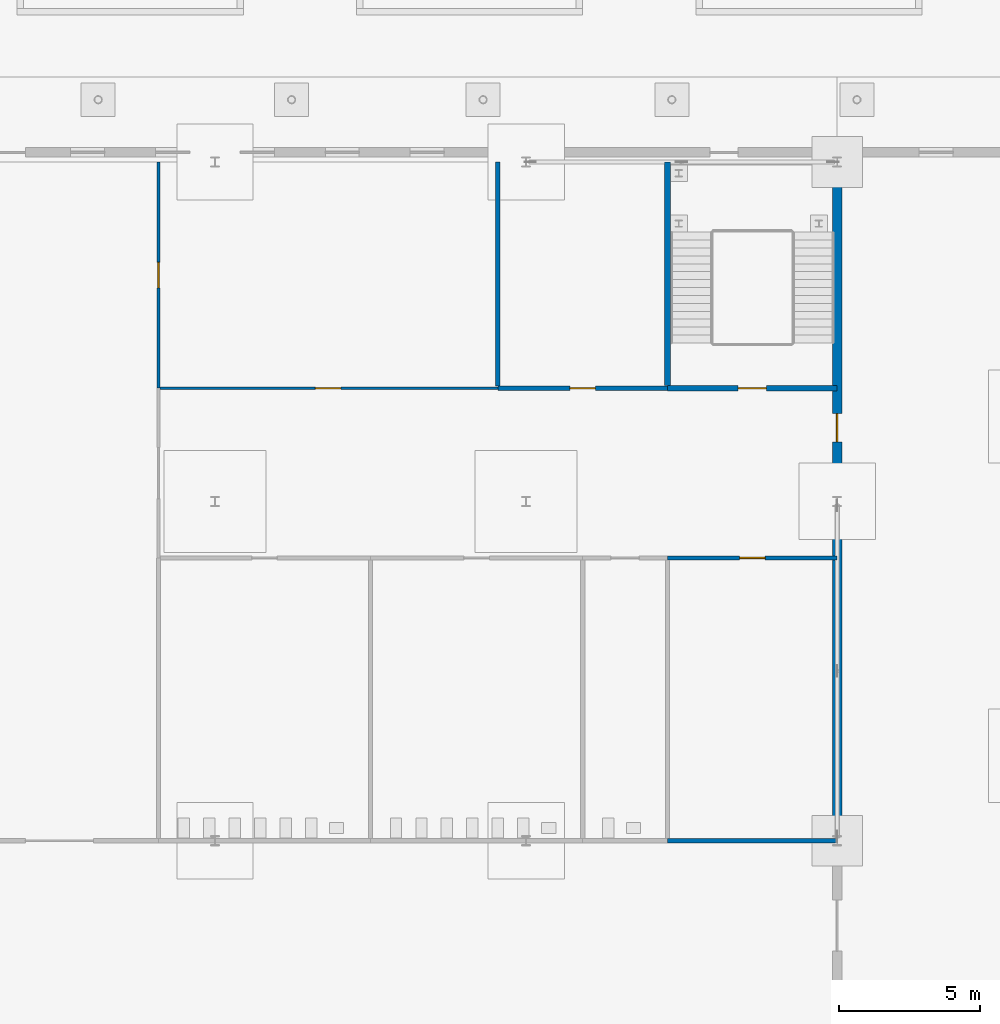
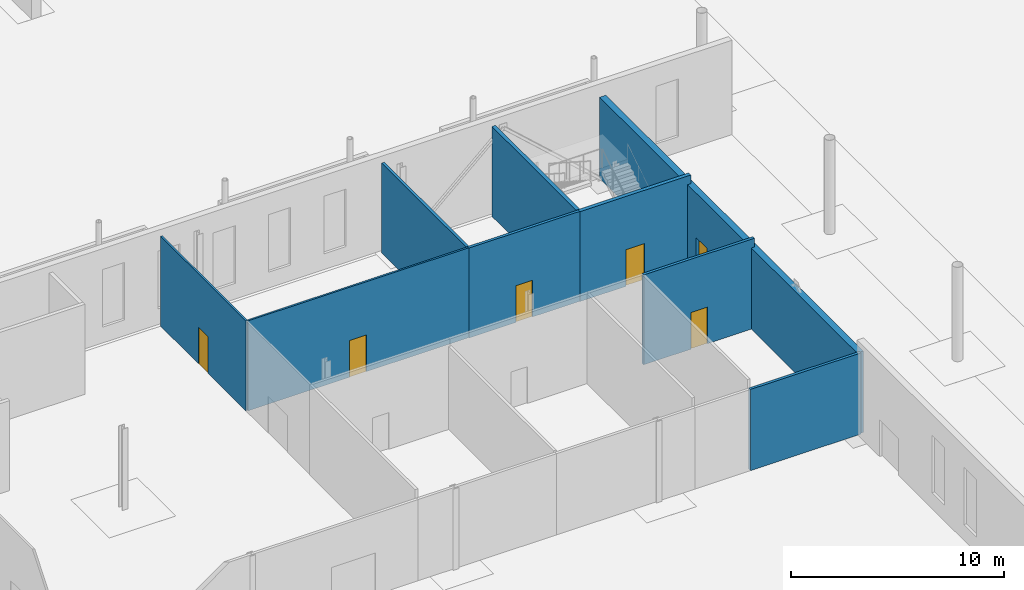
# One storey, part 73 of 132: 9 walls, 6 doors, 6 openings.
"""IFC4 building model written with IfcOpenShell, lengths in metres."""

from ifc_helpers import new_model, si_unit, direction, frame, frame_2d, origin, place, context, subcontext, project, spatial, rectangle, extrude, material, layer, layer_set, type_object, element, fill, save


model = new_model("IFC4")

# Units and contexts
model_context = context("Model", 3, precision=1e-05, world=origin(), true_north=direction((0.0, 1.0)))
body_context = subcontext(model_context, "Body", "Model", "MODEL_VIEW")
ifc_project = project(units=[si_unit("LENGTHUNIT", "METRE"), si_unit("AREAUNIT", "SQUARE_METRE"), si_unit("VOLUMEUNIT", "CUBIC_METRE"), si_unit("PLANEANGLEUNIT", "RADIAN"), si_unit("MASSUNIT", "GRAM", prefix="KILO")], contexts=[model_context])

# Site, building, storey
site_placement = place(None, origin())
site = spatial("IfcSite", under=ifc_project, at=site_placement, CompositionType="ELEMENT")
building_placement = place(site_placement, origin())
building = spatial("IfcBuilding", under=site, at=building_placement, Name="Ravi Spectrum Wholesale Market", CompositionType="ELEMENT")
storey_placement = place(building_placement, origin())
storey = spatial("IfcBuildingStorey", under=building, at=storey_placement, Name="L00", CompositionType="ELEMENT", Elevation=0.0)

# Wall
ifc_material_1 = material(Name="Concrete blockwork", Category="masonry")
ifc_layer_1 = layer(ifc_material_1, 0.14990234375)
ifc_layer_set_1 = layer_set([ifc_layer_1], Name="Concrete blockwork")
wall_type_1 = type_object("IfcWallType", Name="Blockwork partition 150", PredefinedType="PARTITIONING", material=ifc_layer_set_1)
wall_1_placement = place(storey_placement, frame((97.0, 171.0, 0.0), z_axis=(0.0, 0.0, 1.0), x_axis=(1.0, 0.0, 0.0)))
element("IfcWall", 1, at=wall_1_placement, inside=storey, type_object=wall_type_1, Name="H1-WL-L00-034", PredefinedType="PARTITIONING", context=body_context, shape_type="SweptSolid", body=[
    extrude(rectangle(XDim=6.0, YDim=0.14990234375, at=frame_2d((3.0, 0.0))), origin(), (0.0, 0.0, 1.0), 4.64990234375),
])

# Wall, opening, door
wall_2_placement = place(storey_placement, frame((97.0, 181.0, 0.0), z_axis=(0.0, 0.0, 1.0), x_axis=(1.0, 0.0, 0.0)))
wall_2 = element("IfcWall", 2, at=wall_2_placement, inside=storey, type_object=wall_type_1, Name="H1-WL-L00-038", PredefinedType="PARTITIONING", context=body_context, shape_type="SweptSolid", body=[
    extrude(rectangle(XDim=6.0, YDim=0.14990234375, at=frame_2d((3.0, 0.0))), origin(), (0.0, 0.0, 1.0), 5.14990234375),
])
opening_1_placement = place(wall_2_placement, frame((2.550048828125, 0.0, 0.0)))
opening_1 = element("IfcOpeningElement", 3, at=opening_1_placement, cuts=wall_2, Name="Opening D156", PredefinedType="OPENING", context=body_context, shape_type="SweptSolid", body=[
    extrude(rectangle(XDim=0.89990234375, YDim=2.10009765625, at=frame_2d((0.449951171875, 1.050048828125))), frame((0.0, 0.0849609375, 0.0), z_axis=(0.0, -1.0, 0.0), x_axis=(1.0, 0.0, 0.0)), (0.0, 0.0, 1.0), 0.169921875),
])
ifc_material_2 = material(Name="Timber door", Category="wood")
door_type_1 = type_object("IfcDoorType", Name="Office door 900 x 2100", OperationType="SINGLE_SWING_LEFT", PredefinedType="DOOR", material=ifc_material_2)
door_1_placement = place(opening_1_placement, origin())
door_1 = element("IfcDoor", 4, at=door_1_placement, inside=storey, type_object=door_type_1, Name="Door D156", OperationType="SINGLE_SWING_RIGHT", OverallHeight=2.10009765625, OverallWidth=0.89990234375, PredefinedType="DOOR", context=body_context, shape_type="SweptSolid", body=[
    extrude(rectangle(XDim=0.89990234375, YDim=2.10009765625, at=frame_2d((0.449951171875, 1.050048828125))), frame((0.0, 0.02490234375, 0.0), z_axis=(0.0, -1.0, 0.0), x_axis=(1.0, 0.0, 0.0)), (0.0, 0.0, 1.0), 0.050048828125),
])
fill(opening_1, door_1)

wall_3_placement = place(storey_placement, frame((91.0, 187.0, 0.0), z_axis=(0.0, 0.0, 1.0), x_axis=(1.0, 0.0, 0.0)))
wall_3 = element("IfcWall", 5, at=wall_3_placement, inside=storey, type_object=wall_type_1, Name="H1-WL-L00-044", PredefinedType="PARTITIONING", context=body_context, shape_type="SweptSolid", body=[
    extrude(rectangle(XDim=6.0, YDim=0.14990234375, at=frame_2d((3.0, 0.0))), origin(), (0.0, 0.0, 1.0), 5.14990234375),
])
opening_2_placement = place(wall_3_placement, frame((2.550048828125, 0.0, 0.0)))
opening_2 = element("IfcOpeningElement", 6, at=opening_2_placement, cuts=wall_3, Name="Opening D160", PredefinedType="OPENING", context=body_context, shape_type="SweptSolid", body=[
    extrude(rectangle(XDim=0.89990234375, YDim=2.10009765625, at=frame_2d((0.449951171875, 1.050048828125))), frame((0.0, 0.0849609375, 0.0), z_axis=(0.0, -1.0, 0.0), x_axis=(1.0, 0.0, 0.0)), (0.0, 0.0, 1.0), 0.169921875),
])
door_2_placement = place(opening_2_placement, origin())
door_2 = element("IfcDoor", 7, at=door_2_placement, inside=storey, type_object=door_type_1, Name="Door D160", OperationType="SINGLE_SWING_LEFT", OverallHeight=2.10009765625, OverallWidth=0.89990234375, PredefinedType="DOOR", context=body_context, shape_type="SweptSolid", body=[
    extrude(rectangle(XDim=0.89990234375, YDim=2.10009765625, at=frame_2d((0.449951171875, 1.050048828125))), frame((0.0, 0.02490234375, 0.0), z_axis=(0.0, -1.0, 0.0), x_axis=(1.0, 0.0, 0.0)), (0.0, 0.0, 1.0), 0.050048828125),
])
fill(opening_2, door_2)

# Wall
wall_4_placement = place(storey_placement, frame((91.0, 187.074951171875, 0.0), z_axis=(0.0, 0.0, 1.0), x_axis=(0.0, 1.0, 0.0)))
element("IfcWall", 8, at=wall_4_placement, inside=storey, type_object=wall_type_1, Name="H1-WL-L00-058", PredefinedType="PARTITIONING", context=body_context, shape_type="SweptSolid", body=[
    extrude(rectangle(XDim=7.925048828125, YDim=0.14990234375, at=frame_2d((3.96240234375, 0.0))), origin(), (0.0, 0.0, 1.0), 5.14990234375),
])

# Wall, opening, door
ifc_material_3 = material(Name="Concrete blockwork", Category="masonry")
ifc_layer_2 = layer(ifc_material_3, 0.199951171875)
ifc_layer_set_2 = layer_set([ifc_layer_2], Name="Concrete blockwork")
wall_type_2 = type_object("IfcWallType", Name="Blockwork partition 200 fire", PredefinedType="PARTITIONING", material=ifc_layer_set_2)
wall_5_placement = place(storey_placement, frame((97.0, 187.0, 0.0), z_axis=(0.0, 0.0, 1.0), x_axis=(1.0, 0.0, 0.0)))
wall_5 = element("IfcWall", 9, at=wall_5_placement, inside=storey, type_object=wall_type_2, Name="H1-WL-L00-045", PredefinedType="PARTITIONING", context=body_context, shape_type="SweptSolid", body=[
    extrude(rectangle(XDim=6.0, YDim=0.199951171875, at=frame_2d((3.0, 0.0))), origin(), (0.0, 0.0, 1.0), 5.14990234375),
])
opening_3_placement = place(wall_5_placement, frame((2.5, 0.0, 0.0)))
opening_3 = element("IfcOpeningElement", 10, at=opening_3_placement, cuts=wall_5, Name="Opening D155", PredefinedType="OPENING", context=body_context, shape_type="SweptSolid", body=[
    extrude(rectangle(XDim=1.0, YDim=2.10009765625, at=frame_2d((0.5, 1.050048828125))), frame((0.0, 0.10986328125, 0.0), z_axis=(0.0, -1.0, 0.0), x_axis=(1.0, 0.0, 0.0)), (0.0, 0.0, 1.0), 0.219970703125),
])
ifc_material_4 = material(Name="Steel door", Category="steel")
door_type_2 = type_object("IfcDoorType", Name="Stair door 1000 x 2100", OperationType="SINGLE_SWING_LEFT", PredefinedType="DOOR", material=ifc_material_4)
door_3_placement = place(opening_3_placement, origin())
door_3 = element("IfcDoor", 11, at=door_3_placement, inside=storey, type_object=door_type_2, Name="Door D155", OperationType="SINGLE_SWING_RIGHT", OverallHeight=2.10009765625, OverallWidth=1.0, PredefinedType="DOOR", context=body_context, shape_type="SweptSolid", body=[
    extrude(rectangle(XDim=1.0, YDim=2.10009765625, at=frame_2d((0.5, 1.050048828125))), frame((0.0, 0.02490234375, 0.0), z_axis=(0.0, -1.0, 0.0), x_axis=(1.0, 0.0, 0.0)), (0.0, 0.0, 1.0), 0.050048828125),
])
fill(opening_3, door_3)

# Wall
wall_6_placement = place(storey_placement, frame((97.0, 187.10009765625, 0.0), z_axis=(0.0, 0.0, 1.0), x_axis=(0.0, 1.0, 0.0)))
element("IfcWall", 12, at=wall_6_placement, inside=storey, type_object=wall_type_2, Name="H1-WL-L00-061", PredefinedType="PARTITIONING", context=body_context, shape_type="SweptSolid", body=[
    extrude(rectangle(XDim=7.89990234375, YDim=0.199951171875, at=frame_2d((3.949951171875, 0.0))), origin(), (0.0, 0.0, 1.0), 5.14990234375),
])

# Wall, opening, door
ifc_material_5 = material(Name="Clinker brickwork", Category="masonry")
ifc_layer_3 = layer(ifc_material_5, 0.340087890625)
ifc_layer_set_3 = layer_set([ifc_layer_3], Name="Clinker brickwork")
wall_type_3 = type_object("IfcWallType", Name="Brick 340 clinker", PredefinedType="SOLIDWALL", material=ifc_layer_set_3)
wall_7_placement = place(storey_placement, frame((103.0, 171.0, 0.0), z_axis=(0.0, 0.0, 1.0), x_axis=(0.0, 1.0, 0.0)))
wall_7 = element("IfcWall", 13, at=wall_7_placement, inside=storey, type_object=wall_type_3, Name="Hall wall", PredefinedType="SOLIDWALL", context=body_context, shape_type="SweptSolid", body=[
    extrude(rectangle(XDim=24.169921875, YDim=0.340087890625, at=frame_2d((12.0849609375, 0.0))), origin(), (0.0, 0.0, 1.0), 4.64990234375),
])
opening_4_placement = place(wall_7_placement, frame((15.10009765625, 0.0, 0.0), z_axis=(0.0, 0.0, 1.0), x_axis=(-1.0, 0.0, 0.0)))
opening_4 = element("IfcOpeningElement", 14, at=opening_4_placement, cuts=wall_7, Name="Opening D161", PredefinedType="OPENING", context=body_context, shape_type="SweptSolid", body=[
    extrude(rectangle(XDim=1.0, YDim=2.10009765625, at=frame_2d((0.5, 1.050048828125))), frame((0.0, 0.179931640625, 0.0), z_axis=(0.0, -1.0, 0.0), x_axis=(1.0, 0.0, 0.0)), (0.0, 0.0, 1.0), 0.360107421875),
])
ifc_material_6 = material(Name="Steel door", Category="steel")
door_type_3 = type_object("IfcDoorType", Name="Pedestrian exit door 1000 x 2100", OperationType="SINGLE_SWING_LEFT", PredefinedType="DOOR", material=ifc_material_6)
door_4_placement = place(opening_4_placement, origin())
door_4 = element("IfcDoor", 15, at=door_4_placement, inside=storey, type_object=door_type_3, Name="Door D161", OperationType="SINGLE_SWING_LEFT", OverallHeight=2.10009765625, OverallWidth=1.0, PredefinedType="DOOR", context=body_context, shape_type="SweptSolid", body=[
    extrude(rectangle(XDim=1.0, YDim=2.10009765625, at=frame_2d((0.5, 1.050048828125))), frame((0.0, 0.02490234375, 0.0), z_axis=(0.0, -1.0, 0.0), x_axis=(1.0, 0.0, 0.0)), (0.0, 0.0, 1.0), 0.050048828125),
])
fill(opening_4, door_4)

ifc_material_7 = material(Name="Gypsum board partition")
ifc_layer_4 = layer(ifc_material_7, 0.10009765625)
ifc_layer_set_4 = layer_set([ifc_layer_4], Name="Gypsum board partition")
wall_type_4 = type_object("IfcWallType", Name="Drywall partition 100", PredefinedType="PARTITIONING", material=ifc_layer_set_4)
wall_8_placement = place(storey_placement, frame((79.050048828125, 187.0, 0.0), z_axis=(0.0, 0.0, 1.0), x_axis=(1.0, 0.0, 0.0)))
wall_8 = element("IfcWall", 16, at=wall_8_placement, inside=storey, type_object=wall_type_4, Name="H1-WL-L00-043", PredefinedType="PARTITIONING", context=body_context, shape_type="SweptSolid", body=[
    extrude(rectangle(XDim=11.949951171875, YDim=0.10009765625, at=frame_2d((5.97509765625, 0.0))), origin(), (0.0, 0.0, 1.0), 5.14990234375),
])
opening_5_placement = place(wall_8_placement, frame((5.5, 0.0, 0.0)))
opening_5 = element("IfcOpeningElement", 17, at=opening_5_placement, cuts=wall_8, Name="Opening D159", PredefinedType="OPENING", context=body_context, shape_type="SweptSolid", body=[
    extrude(rectangle(XDim=0.89990234375, YDim=2.10009765625, at=frame_2d((0.449951171875, 1.050048828125))), frame((0.0, 0.06005859375, 0.0), z_axis=(0.0, -1.0, 0.0), x_axis=(1.0, 0.0, 0.0)), (0.0, 0.0, 1.0), 0.1201171875),
])
door_5_placement = place(opening_5_placement, origin())
door_5 = element("IfcDoor", 18, at=door_5_placement, inside=storey, type_object=door_type_1, Name="Door D159", OperationType="SINGLE_SWING_LEFT", OverallHeight=2.10009765625, OverallWidth=0.89990234375, PredefinedType="DOOR", context=body_context, shape_type="SweptSolid", body=[
    extrude(rectangle(XDim=0.89990234375, YDim=2.10009765625, at=frame_2d((0.449951171875, 1.050048828125))), frame((0.0, 0.02490234375, 0.0), z_axis=(0.0, -1.0, 0.0), x_axis=(1.0, 0.0, 0.0)), (0.0, 0.0, 1.0), 0.050048828125),
])
fill(opening_5, door_5)

wall_9_placement = place(storey_placement, frame((79.0, 187.0, 0.0), z_axis=(0.0, 0.0, 1.0), x_axis=(0.0, 1.0, 0.0)))
wall_9 = element("IfcWall", 19, at=wall_9_placement, inside=storey, type_object=wall_type_4, Name="H1-WL-L00-056", PredefinedType="PARTITIONING", context=body_context, shape_type="SweptSolid", body=[
    extrude(rectangle(XDim=8.0, YDim=0.10009765625, at=frame_2d((4.0, 0.0))), origin(), (0.0, 0.0, 1.0), 5.14990234375),
])
opening_6_placement = place(wall_9_placement, frame((3.550048828125, 0.0, 0.0)))
opening_6 = element("IfcOpeningElement", 20, at=opening_6_placement, cuts=wall_9, Name="Opening D158", PredefinedType="OPENING", context=body_context, shape_type="SweptSolid", body=[
    extrude(rectangle(XDim=0.89990234375, YDim=2.10009765625, at=frame_2d((0.449951171875, 1.050048828125))), frame((0.0, 0.06005859375, 0.0), z_axis=(0.0, -1.0, 0.0), x_axis=(1.0, 0.0, 0.0)), (0.0, 0.0, 1.0), 0.1201171875),
])
door_6_placement = place(opening_6_placement, origin())
door_6 = element("IfcDoor", 21, at=door_6_placement, inside=storey, type_object=door_type_1, Name="Door D158", OperationType="SINGLE_SWING_RIGHT", OverallHeight=2.10009765625, OverallWidth=0.89990234375, PredefinedType="DOOR", context=body_context, shape_type="SweptSolid", body=[
    extrude(rectangle(XDim=0.89990234375, YDim=2.10009765625, at=frame_2d((0.449951171875, 1.050048828125))), frame((0.0, 0.02490234375, 0.0), z_axis=(0.0, -1.0, 0.0), x_axis=(1.0, 0.0, 0.0)), (0.0, 0.0, 1.0), 0.050048828125),
])
fill(opening_6, door_6)

save(model, "model.ifc")
